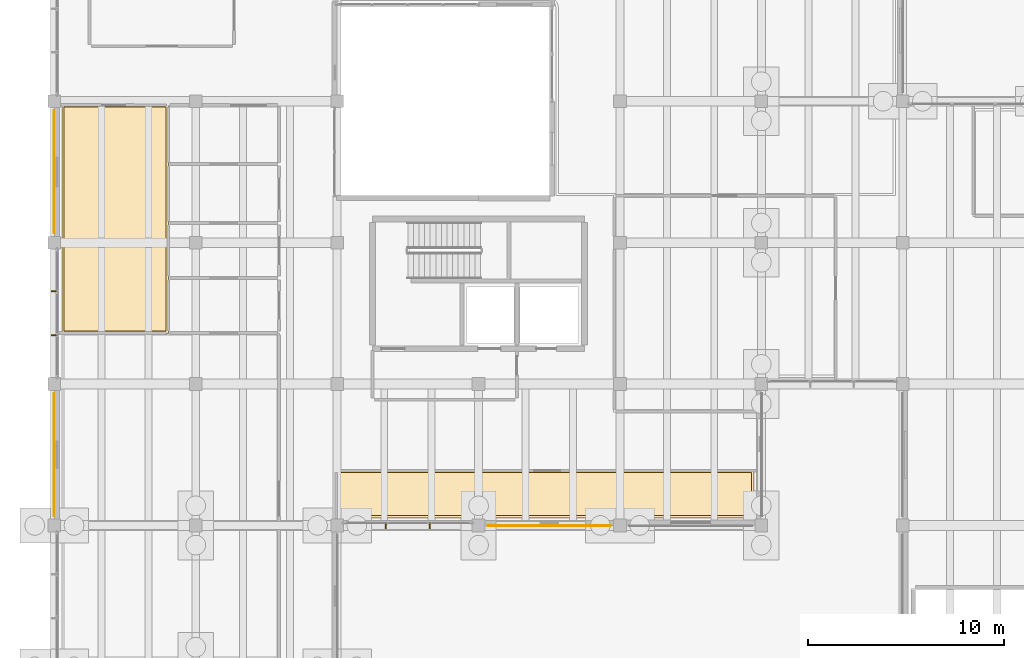
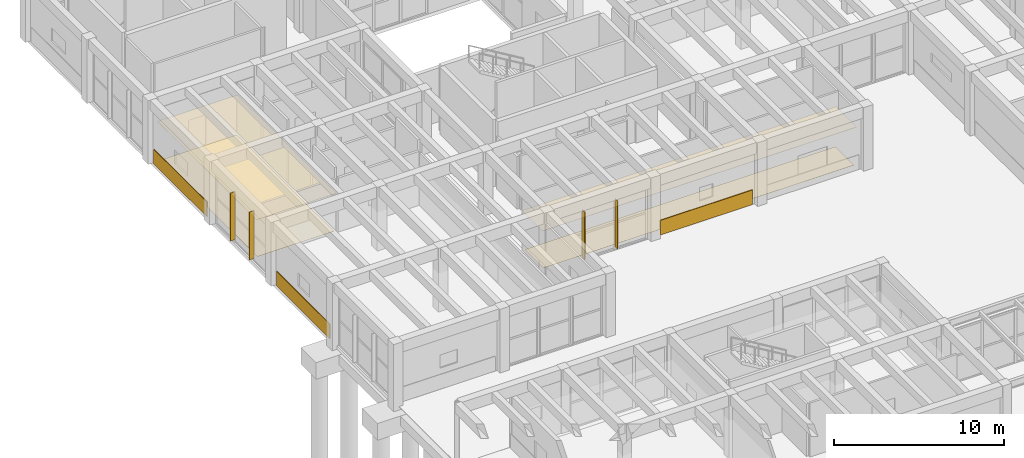
# One storey, part 145 of 155: 7 coverings, 4 shading devices.
"""IFC4 building model written with IfcOpenShell, lengths in metres."""

from ifc_helpers import new_model, si_unit, direction, frame, origin, origin_2d, place, context, subcontext, project, spatial, polyline, rectangle, outline, extrude, material, layer, layer_set, type_object, element, save


model = new_model("IFC4")

# Units and contexts
model_context = context("Model", 3, precision=1e-05, world=origin(), true_north=direction((0.0, 1.0)))
body_context = subcontext(model_context, "Body", "Model", "MODEL_VIEW")
ifc_project = project(units=[si_unit("LENGTHUNIT", "METRE"), si_unit("AREAUNIT", "SQUARE_METRE"), si_unit("VOLUMEUNIT", "CUBIC_METRE"), si_unit("PLANEANGLEUNIT", "RADIAN"), si_unit("MASSUNIT", "GRAM", prefix="KILO")], contexts=[model_context])

# Site, building, storey
site_placement = place(None, origin())
site = spatial("IfcSite", under=ifc_project, at=site_placement, CompositionType="ELEMENT")
building_placement = place(site_placement, origin())
building = spatial("IfcBuilding", under=site, at=building_placement, Name="Bramvelor Terrace Health Centre", CompositionType="ELEMENT")
storey_placement = place(building_placement, origin())
storey = spatial("IfcBuildingStorey", under=building, at=storey_placement, Name="L01", CompositionType="ELEMENT", Elevation=0.0)

# Coverings
ifc_material_1 = material(Name="Honed volcanic tuff rainscreen stone", Category="masonry")
ifc_layer_1 = layer(ifc_material_1, 0.0400390625)
ifc_layer_set_1 = layer_set([ifc_layer_1], Name="Honed volcanic tuff rainscreen stone")
covering_type_1 = type_object("IfcCoveringType", Name="COV-CLAD-TUF", PredefinedType="CLADDING", material=ifc_layer_set_1)
covering_1_placement = place(storey_placement, frame((25.199951171875, 79.18505859375, 0.02490234375), z_axis=(0.0, 0.0, 1.0), x_axis=(1.0, 0.0, 0.0)))
element("IfcCovering", 1, at=covering_1_placement, inside=storey, type_object=covering_type_1, Name="L01 Volcanic Tuff Rainscreen Spandrel 18", PredefinedType="CLADDING", context=body_context, shape_type="SweptSolid", body=[
    extrude(rectangle(XDim=6.260009765625, YDim=0.0400390625, at=origin_2d()), origin(), (0.0, 0.0, 1.0), 1.050048828125),
])
for number, where, z_axis, x_axis, name in (
    (2, (-0.014892578125, 82.800048828125, 0.02490234375), (0.0, 0.0, 1.0), (1.0, 0.0, 0.0), "L01 Volcanic Tuff Rainscreen Spandrel 21"),
    (3, (-0.014892578125, 97.199951171875, 0.02490234375), (0.0, 0.0, 1.0), (1.0, 0.0, 0.0), "L01 Volcanic Tuff Rainscreen Spandrel 22"),
):
    element("IfcCovering", number, at=place(storey_placement, frame(where, z_axis=z_axis, x_axis=x_axis)), inside=storey, type_object=covering_type_1, Name=name, PredefinedType="CLADDING", context=body_context, shape_type="SweptSolid", body=[
        extrude(rectangle(XDim=0.0400390625, YDim=6.260009765625, at=origin_2d()), origin(), (0.0, 0.0, 1.0), 1.050048828125),
    ])
ifc_material_2 = material(Name="Hygienic mineral-fibre acoustic ceiling", Category="gypsum")
ifc_layer_2 = layer(ifc_material_2, 0.02001953125)
ifc_layer_set_2 = layer_set([ifc_layer_2], Name="Hygienic mineral-fibre acoustic ceiling")
covering_type_2 = type_object("IfcCoveringType", Name="COV-CLG-ACT", PredefinedType="CEILING", material=ifc_layer_set_2)
covering_2_placement = place(storey_placement, frame((0.0, 0.0, 2.75)))
element("IfcCovering", 4, at=covering_2_placement, inside=storey, type_object=covering_type_2, Name="L01 Fire Command Room Acoustic Ceiling", PredefinedType="CEILING", context=body_context, shape_type="SweptSolid", body=[
    extrude(outline(polyline([(0.3798828125, 100.60009765625), (0.380126953125, 100.60205078125), (0.38037109375, 100.60400390625), (0.380859375, 100.605712890625), (0.381591796875, 100.607666015625), (0.38232421875, 100.609375), (0.38330078125, 100.611083984375), (0.384521484375, 100.61279296875), (0.385986328125, 100.614013671875), (0.38720703125, 100.615478515625), (0.388916015625, 100.61669921875), (0.390625, 100.61767578125), (0.392333984375, 100.618408203125), (0.394287109375, 100.619140625), (0.39599609375, 100.61962890625), (0.39794921875, 100.619873046875), (0.39990234375, 100.6201171875), (5.7900390625, 100.617919921875), (5.7919921875, 100.617919921875), (5.7939453125, 100.61767578125), (5.7958984375, 100.6171875), (5.797607421875, 100.616455078125), (5.79931640625, 100.615478515625), (5.801025390625, 100.614501953125), (5.802734375, 100.613525390625), (5.80419921875, 100.612060546875), (5.805419921875, 100.610595703125), (5.806640625, 100.609130859375), (5.8076171875, 100.607421875), (5.80859375, 100.605712890625), (5.80908203125, 100.603759765625), (5.8095703125, 100.601806640625), (5.809814453125, 100.60009765625), (5.81005859375, 100.597900390625), (5.81005859375, 89.0), (5.809814453125, 88.998046875), (5.8095703125, 88.99609375), (5.80908203125, 88.994140625), (5.80859375, 88.9921875), (5.8076171875, 88.990478515625), (5.806640625, 88.989013671875), (5.805419921875, 88.9873046875), (5.80419921875, 88.98583984375), (5.802734375, 88.984619140625), (5.801025390625, 88.9833984375), (5.79931640625, 88.982421875), (5.797607421875, 88.9814453125), (5.7958984375, 88.98095703125), (5.7939453125, 88.98046875), (5.7919921875, 88.97998046875), (5.7900390625, 88.97998046875), (0.39990234375, 88.97998046875), (0.39794921875, 88.97998046875), (0.39599609375, 88.98046875), (0.394287109375, 88.98095703125), (0.392333984375, 88.9814453125), (0.390625, 88.982421875), (0.388916015625, 88.9833984375), (0.38720703125, 88.984619140625), (0.385986328125, 88.98583984375), (0.384521484375, 88.9873046875), (0.38330078125, 88.989013671875), (0.38232421875, 88.990478515625), (0.381591796875, 88.9921875), (0.380859375, 88.994140625), (0.38037109375, 88.99609375), (0.380126953125, 88.998046875), (0.3798828125, 89.0), (0.3798828125, 100.60009765625)])), origin(), (0.0, 0.0, 1.0), 0.02001953125),
])
covering_3_placement = place(storey_placement, frame((0.0, 0.0, 2.75)))
element("IfcCovering", 5, at=covering_3_placement, inside=storey, type_object=covering_type_2, Name="L01 Family Medicine Treatment Room Acoustic Ceiling", PredefinedType="CEILING", context=body_context, shape_type="SweptSolid", body=[
    extrude(outline(polyline([(35.60009765625, 82.010009765625), (35.60205078125, 82.010009765625), (35.60400390625, 82.009521484375), (35.605712890625, 82.009033203125), (35.607666015625, 82.008544921875), (35.609375, 82.007568359375), (35.611083984375, 82.006591796875), (35.61279296875, 82.005615234375), (35.614013671875, 82.004150390625), (35.615478515625, 82.002685546875), (35.61669921875, 82.001220703125), (35.61767578125, 81.99951171875), (35.618408203125, 81.997802734375), (35.619140625, 81.995849609375), (35.61962890625, 81.993896484375), (35.619873046875, 81.991943359375), (35.6201171875, 81.989990234375), (35.6201171875, 79.60009765625), (35.619873046875, 79.597900390625), (35.61962890625, 79.59619140625), (35.619140625, 79.59423828125), (35.618408203125, 79.59228515625), (35.61767578125, 79.590576171875), (35.61669921875, 79.5888671875), (35.615478515625, 79.58740234375), (35.614013671875, 79.5859375), (35.61279296875, 79.58447265625), (35.611083984375, 79.58349609375), (35.609375, 79.58251953125), (35.607666015625, 79.58154296875), (35.605712890625, 79.580810546875), (35.60400390625, 79.580322265625), (35.60205078125, 79.580078125), (35.60009765625, 79.580078125), (14.35205078125, 79.580078125), (14.35009765625, 79.580078125), (14.34814453125, 79.580322265625), (14.34619140625, 79.580810546875), (14.34423828125, 79.58154296875), (14.342529296875, 79.58251953125), (14.3408203125, 79.58349609375), (14.33935546875, 79.58447265625), (14.337890625, 79.5859375), (14.33642578125, 79.58740234375), (14.33544921875, 79.5888671875), (14.33447265625, 79.590576171875), (14.33349609375, 79.59228515625), (14.3330078125, 79.59423828125), (14.33251953125, 79.59619140625), (14.33203125, 79.597900390625), (14.33203125, 79.60009765625), (14.33203125, 81.989990234375), (14.33203125, 81.991943359375), (14.33251953125, 81.993896484375), (14.3330078125, 81.995849609375), (14.33349609375, 81.997802734375), (14.33447265625, 81.99951171875), (14.33544921875, 82.001220703125), (14.33642578125, 82.002685546875), (14.337890625, 82.004150390625), (14.33935546875, 82.005615234375), (14.3408203125, 82.006591796875), (14.342529296875, 82.007568359375), (14.34423828125, 82.008544921875), (14.34619140625, 82.009033203125), (14.34814453125, 82.009521484375), (14.35009765625, 82.010009765625), (14.35205078125, 82.010009765625), (35.60009765625, 82.010009765625)])), origin(), (0.0, 0.0, 1.0), 0.02001953125),
])
ifc_material_3 = material(Name="Seamless antimicrobial clinical vinyl", Category="polymer")
ifc_layer_3 = layer(ifc_material_3, 0.008056640625)
ifc_layer_set_3 = layer_set([ifc_layer_3], Name="Seamless antimicrobial clinical vinyl")
covering_type_3 = type_object("IfcCoveringType", Name="COV-FLR-VNL", PredefinedType="FLOORING", material=ifc_layer_set_3)
covering_4_placement = place(storey_placement, origin())
element("IfcCovering", 6, at=covering_4_placement, inside=storey, type_object=covering_type_3, Name="L01 Fire Command Room Clinical Vinyl Flooring", PredefinedType="FLOORING", context=body_context, shape_type="SweptSolid", body=[
    extrude(outline(polyline([(0.5, 100.5), (5.68994140625, 100.498046875), (5.68994140625, 89.10009765625), (0.5, 89.10009765625), (0.5, 100.5)])), origin(), (0.0, 0.0, 1.0), 0.008056640625),
])
covering_5_placement = place(storey_placement, origin())
element("IfcCovering", 7, at=covering_5_placement, inside=storey, type_object=covering_type_3, Name="L01 Family Medicine Treatment Room Clinical Vinyl Flooring", PredefinedType="FLOORING", context=body_context, shape_type="SweptSolid", body=[
    extrude(outline(polyline([(35.5, 81.889892578125), (35.5, 79.699951171875), (14.451904296875, 79.699951171875), (14.451904296875, 81.889892578125), (35.5, 81.889892578125)])), origin(), (0.0, 0.0, 1.0), 0.008056640625),
])

# Shading devices
ifc_material_4 = material(Name="Anodized aluminium 6063-T6", Category="aluminium")
ifc_layer_4 = layer(ifc_material_4, 0.050048828125)
ifc_layer_set_4 = layer_set([ifc_layer_4], Name="Anodized aluminium 6063-T6")
shading_device_type = type_object("IfcShadingDeviceType", Name="SHD-FIN-300", PredefinedType="JALOUSIE", material=ifc_layer_set_4)
for number, where, z_axis, x_axis, name in (
    (8, (19.115234375, 79.179931640625, 0.150146484375), (0.0, 0.0, 1.0), (1.0, 0.0, 0.0), "L01 Solar Shading Louvre Fin 11"),
    (9, (16.884765625, 79.179931640625, 0.150146484375), (0.0, 0.0, 1.0), (1.0, 0.0, 0.0), "L01 Solar Shading Louvre Fin 12"),
):
    element("IfcShadingDevice", number, at=place(storey_placement, frame(where, z_axis=z_axis, x_axis=x_axis)), inside=storey, type_object=shading_device_type, Name=name, PredefinedType="JALOUSIE", context=body_context, shape_type="SweptSolid", body=[
        extrude(rectangle(XDim=0.050048828125, YDim=0.300048828125, at=origin_2d()), origin(), (0.0, 0.0, 1.0), 3.419921875),
    ])
for number, where, z_axis, x_axis, name in (
    (10, (-0.02001953125, 88.884765625, 0.150146484375), (0.0, 0.0, 1.0), (1.0, 0.0, 0.0), "L01 Solar Shading Louvre Fin 17"),
    (11, (-0.02001953125, 91.115234375, 0.150146484375), (0.0, 0.0, 1.0), (1.0, 0.0, 0.0), "L01 Solar Shading Louvre Fin 18"),
):
    element("IfcShadingDevice", number, at=place(storey_placement, frame(where, z_axis=z_axis, x_axis=x_axis)), inside=storey, type_object=shading_device_type, Name=name, PredefinedType="JALOUSIE", context=body_context, shape_type="SweptSolid", body=[
        extrude(rectangle(XDim=0.300048828125, YDim=0.050048828125, at=origin_2d()), origin(), (0.0, 0.0, 1.0), 3.419921875),
    ])

save(model, "model.ifc")
